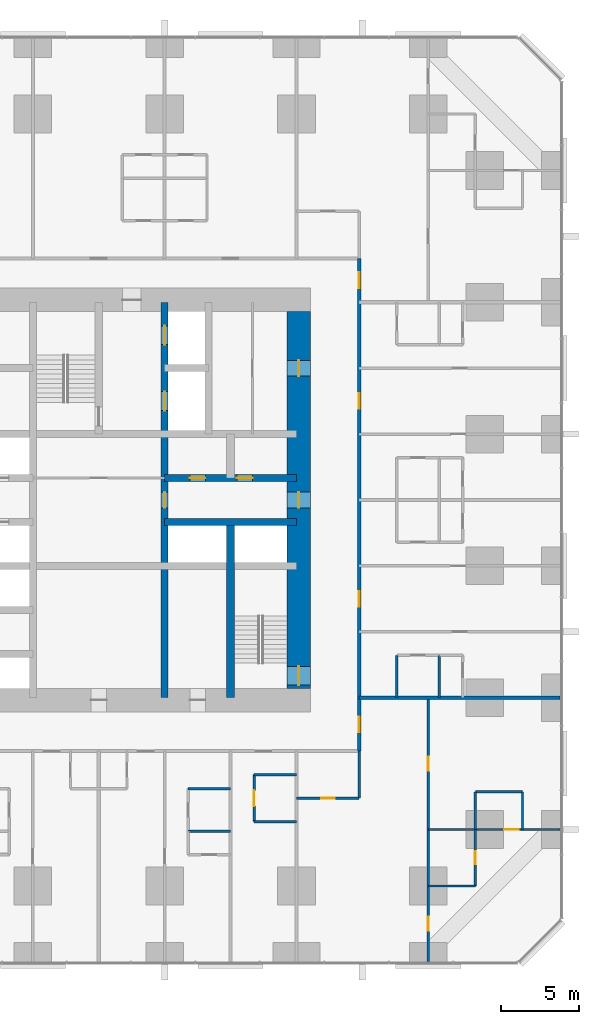
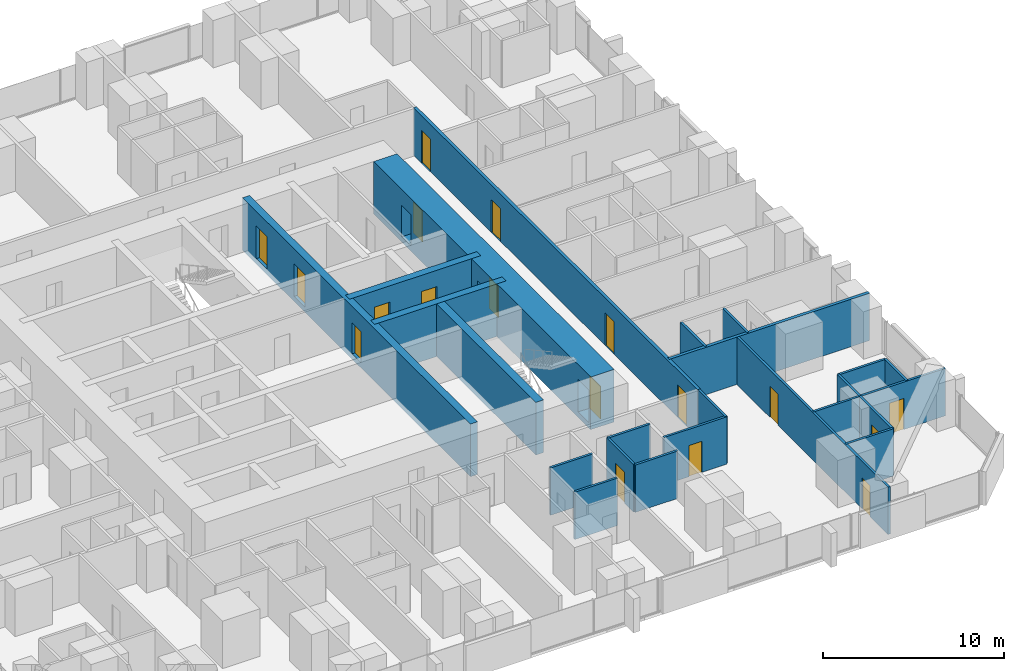
# One storey, part 12 of 16: 23 walls, 18 doors, 18 openings.
"""IFC4 building model written with IfcOpenShell, lengths in metres."""

from ifc_helpers import new_model, si_unit, direction, frame, frame_2d, origin, place, context, subcontext, project, spatial, rectangle, extrude, material, layer, layer_set, type_object, element, fill, save


model = new_model("IFC4")

# Units and contexts
model_context = context("Model", 3, precision=1e-05, world=origin(), true_north=direction((0.0, 1.0)))
body_context = subcontext(model_context, "Body", "Model", "MODEL_VIEW")
ifc_project = project(units=[si_unit("LENGTHUNIT", "METRE"), si_unit("AREAUNIT", "SQUARE_METRE"), si_unit("VOLUMEUNIT", "CUBIC_METRE"), si_unit("PLANEANGLEUNIT", "RADIAN"), si_unit("MASSUNIT", "GRAM", prefix="KILO")], contexts=[model_context])

# Site, building, storey
site_placement = place(None, origin())
site = spatial("IfcSite", under=ifc_project, at=site_placement, CompositionType="ELEMENT")
building_placement = place(site_placement, origin())
building = spatial("IfcBuilding", under=site, at=building_placement, Name="Dunama Terrace Hotel", CompositionType="ELEMENT")
storey_placement = place(building_placement, frame((0.0, 0.0, 84.60009765625)))
storey = spatial("IfcBuildingStorey", under=building, at=storey_placement, Name="L21", CompositionType="ELEMENT", Elevation=84.60009765625)

# Wall, opening, door
ifc_material_1 = material(Name="Gypsum board partition", Category="masonry")
ifc_layer_1 = layer(ifc_material_1, 0.14990234375)
ifc_layer_set_1 = layer_set([ifc_layer_1], Name="Bathroom partition 150")
wall_type_1 = type_object("IfcWallType", Name="Bathroom partition 150", PredefinedType="PARTITIONING", material=ifc_layer_set_1)
wall_1_placement = place(storey_placement, frame((39.300048828125, 8.89990234375, 0.0), z_axis=(0.0, 0.0, 1.0), x_axis=(0.0, 1.0, 0.0)))
wall_1 = element("IfcWall", 1, at=wall_1_placement, inside=storey, type_object=wall_type_1, Name="Bathroom partition 150 L21", PredefinedType="PARTITIONING", context=body_context, shape_type="SweptSolid", body=[
    extrude(rectangle(XDim=3.0, YDim=0.14990234375, at=frame_2d((1.5, 0.0))), origin(), (0.0, 0.0, 1.0), 3.199951171875),
])
opening_1_placement = place(wall_1_placement, frame((1.0, 0.0, 0.0)))
opening_1 = element("IfcOpeningElement", 2, at=opening_1_placement, cuts=wall_1, Name="Opening L21-022", PredefinedType="OPENING", context=body_context, shape_type="SweptSolid", body=[
    extrude(rectangle(XDim=1.0, YDim=2.10009765625, at=frame_2d((0.5, 1.050048828125))), frame((0.0, 0.0849609375, 0.0), z_axis=(0.0, -1.0, 0.0), x_axis=(1.0, 0.0, 0.0)), (0.0, 0.0, 1.0), 0.169921875),
])
ifc_material_2 = material(Name="Timber door with steel frame", Category="steel")
door_type_1 = type_object("IfcDoorType", Name="Accessible room door 1000", OperationType="SINGLE_SWING_LEFT", PredefinedType="DOOR", material=ifc_material_2)
door_1_placement = place(opening_1_placement, frame((1.0, 0.0, 0.0), z_axis=(0.0, 0.0, 1.0), x_axis=(-1.0, 0.0, 0.0)))
door_1 = element("IfcDoor", 3, at=door_1_placement, inside=storey, type_object=door_type_1, Name="Door to accessible en-suite bathroom L21-022, type D17", OperationType="SINGLE_SWING_RIGHT", OverallHeight=2.10009765625, OverallWidth=1.0, PredefinedType="DOOR", context=body_context, shape_type="SweptSolid", body=[
    extrude(rectangle(XDim=1.0, YDim=2.10009765625, at=frame_2d((0.5, 1.050048828125))), frame((0.0, 0.025146484375, 0.0), z_axis=(0.0, -1.0, 0.0), x_axis=(1.0, 0.0, 0.0)), (0.0, 0.0, 1.0), 0.050048828125),
])
fill(opening_1, door_1)

# Walls
wall_2_placement = place(storey_placement, frame((46.0, 10.39990234375, 0.0), z_axis=(0.0, 0.0, 1.0), x_axis=(0.0, 1.0, 0.0)))
element("IfcWall", 4, at=wall_2_placement, inside=storey, type_object=wall_type_1, Name="Bathroom partition 150 L21", PredefinedType="PARTITIONING", context=body_context, shape_type="SweptSolid", body=[
    extrude(rectangle(XDim=3.0, YDim=0.14990234375, at=frame_2d((1.5, 0.0))), origin(), (0.0, 0.0, 1.0), 3.199951171875),
])
wall_3_placement = place(storey_placement, frame((48.39990234375, 16.800048828125, 0.0), z_axis=(0.0, 0.0, 1.0), x_axis=(0.0, 1.0, 0.0)))
element("IfcWall", 5, at=wall_3_placement, inside=storey, type_object=wall_type_1, Name="Bathroom partition 150 L21", PredefinedType="PARTITIONING", context=body_context, shape_type="SweptSolid", body=[
    extrude(rectangle(XDim=2.699951171875, YDim=0.14990234375, at=frame_2d((1.35009765625, 0.0))), origin(), (0.0, 0.0, 1.0), 3.199951171875),
])

# Wall, opening, door
wall_4_placement = place(storey_placement, frame((53.39990234375, 4.800048828125, 0.0), z_axis=(0.0, 0.0, 1.0), x_axis=(0.0, 1.0, 0.0)))
wall_4 = element("IfcWall", 6, at=wall_4_placement, inside=storey, type_object=wall_type_1, Name="Bathroom partition 150 L21", PredefinedType="PARTITIONING", context=body_context, shape_type="SweptSolid", body=[
    extrude(rectangle(XDim=3.599853515625, YDim=0.14990234375, at=frame_2d((1.7998046875, 0.0))), origin(), (0.0, 0.0, 1.0), 3.199951171875),
])
opening_2_placement = place(wall_4_placement, frame((1.375, 0.0, 0.0)))
opening_2 = element("IfcOpeningElement", 7, at=opening_2_placement, cuts=wall_4, Name="Opening L21-069", PredefinedType="OPENING", context=body_context, shape_type="SweptSolid", body=[
    extrude(rectangle(XDim=0.85009765625, YDim=2.10009765625, at=frame_2d((0.425048828125, 1.050048828125))), frame((0.0, 0.0849609375, 0.0), z_axis=(0.0, -1.0, 0.0), x_axis=(1.0, 0.0, 0.0)), (0.0, 0.0, 1.0), 0.169921875),
])
ifc_material_3 = material(Name="Timber door with steel frame", Category="steel")
door_type_2 = type_object("IfcDoorType", Name="Bathroom door 850", OperationType="SINGLE_SWING_LEFT", PredefinedType="DOOR", material=ifc_material_3)
door_2_placement = place(opening_2_placement, origin())
door_2 = element("IfcDoor", 8, at=door_2_placement, inside=storey, type_object=door_type_2, Name="Door to en-suite bathroom L21-069, type D2", OperationType="SINGLE_SWING_RIGHT", OverallHeight=2.10009765625, OverallWidth=0.85009765625, PredefinedType="DOOR", context=body_context, shape_type="SweptSolid", body=[
    extrude(rectangle(XDim=0.85009765625, YDim=2.10009765625, at=frame_2d((0.425048828125, 1.050048828125))), frame((0.0, 0.02490234375, 0.0), z_axis=(0.0, -1.0, 0.0), x_axis=(1.0, 0.0, 0.0)), (0.0, 0.0, 1.0), 0.050048828125),
])
fill(opening_2, door_2)

# Walls
wall_5_placement = place(storey_placement, frame((50.39990234375, 4.800048828125, 0.0), z_axis=(0.0, 0.0, 1.0), x_axis=(1.0, 0.0, 0.0)))
element("IfcWall", 9, at=wall_5_placement, inside=storey, type_object=wall_type_1, Name="Bathroom partition 150 L21", PredefinedType="PARTITIONING", context=body_context, shape_type="SweptSolid", body=[
    extrude(rectangle(XDim=3.0, YDim=0.14990234375, at=frame_2d((1.5, 0.0))), origin(), (0.0, 0.0, 1.0), 3.199951171875),
])
wall_6_placement = place(storey_placement, frame((39.300048828125, 8.89990234375, 0.0), z_axis=(0.0, 0.0, 1.0), x_axis=(1.0, 0.0, 0.0)))
element("IfcWall", 10, at=wall_6_placement, inside=storey, type_object=wall_type_1, Name="Bathroom partition 150 L21", PredefinedType="PARTITIONING", context=body_context, shape_type="SweptSolid", body=[
    extrude(rectangle(XDim=2.699951171875, YDim=0.14990234375, at=frame_2d((1.35009765625, 0.0))), origin(), (0.0, 0.0, 1.0), 3.199951171875),
])

# Wall, opening, door
wall_7_placement = place(storey_placement, frame((42.0, 10.39990234375, 0.0), z_axis=(0.0, 0.0, 1.0), x_axis=(1.0, 0.0, 0.0)))
wall_7 = element("IfcWall", 11, at=wall_7_placement, inside=storey, type_object=wall_type_1, Name="Bathroom partition 150 L21", PredefinedType="PARTITIONING", context=body_context, shape_type="SweptSolid", body=[
    extrude(rectangle(XDim=4.0, YDim=0.14990234375, at=frame_2d((2.0, 0.0))), origin(), (0.0, 0.0, 1.0), 3.199951171875),
])
opening_3_placement = place(wall_7_placement, frame((1.574951171875, 0.0, 0.0)))
opening_3 = element("IfcOpeningElement", 12, at=opening_3_placement, cuts=wall_7, Name="Opening L21-067", PredefinedType="OPENING", context=body_context, shape_type="SweptSolid", body=[
    extrude(rectangle(XDim=0.85009765625, YDim=2.10009765625, at=frame_2d((0.425048828125, 1.050048828125))), frame((0.0, 0.0849609375, 0.0), z_axis=(0.0, -1.0, 0.0), x_axis=(1.0, 0.0, 0.0)), (0.0, 0.0, 1.0), 0.169921875),
])
door_3_placement = place(opening_3_placement, origin())
door_3 = element("IfcDoor", 13, at=door_3_placement, inside=storey, type_object=door_type_2, Name="Door to powder room L21-067, type D2", OperationType="SINGLE_SWING_LEFT", OverallHeight=2.10009765625, OverallWidth=0.85009765625, PredefinedType="DOOR", context=body_context, shape_type="SweptSolid", body=[
    extrude(rectangle(XDim=0.85009765625, YDim=2.10009765625, at=frame_2d((0.425048828125, 1.050048828125))), frame((0.0, 0.02490234375, 0.0), z_axis=(0.0, -1.0, 0.0), x_axis=(1.0, 0.0, 0.0)), (0.0, 0.0, 1.0), 0.050048828125),
])
fill(opening_3, door_3)

# Walls
for number, where, z_axis, x_axis, name in (
    (14, (35.10009765625, 11.0, 0.0), (0.0, 0.0, 1.0), (1.0, 0.0, 0.0), "Bathroom partition 150 L21"),
    (15, (39.300048828125, 11.89990234375, 0.0), (0.0, 0.0, 1.0), (1.0, 0.0, 0.0), "Bathroom partition 150 L21"),
):
    element("IfcWall", number, at=place(storey_placement, frame(where, z_axis=z_axis, x_axis=x_axis)), inside=storey, type_object=wall_type_1, Name=name, PredefinedType="PARTITIONING", context=body_context, shape_type="SweptSolid", body=[
        extrude(rectangle(XDim=2.699951171875, YDim=0.14990234375, at=frame_2d((1.35009765625, 0.0))), origin(), (0.0, 0.0, 1.0), 3.199951171875),
    ])

# Wall, openings, doors
ifc_material_4 = material(Name="Concrete C50/60", Category="concrete")
ifc_layer_2 = layer(ifc_material_4, 0.449951171875)
ifc_layer_set_2 = layer_set([ifc_layer_2], Name="Core inner wall 450")
wall_type_2 = type_object("IfcWallType", Name="Core inner wall 450", PredefinedType="SHEAR", material=ifc_layer_set_2)
wall_8_placement = place(storey_placement, frame((33.60009765625, 16.800048828125, -0.35009765625), z_axis=(0.0, 0.0, 1.0), x_axis=(0.0, 1.0, 0.0)))
wall_8 = element("IfcWall", 16, at=wall_8_placement, inside=storey, type_object=wall_type_2, Name="Core inner wall 450 L21", PredefinedType="SHEAR", context=body_context, shape_type="SweptSolid", body=[
    extrude(rectangle(XDim=25.199951171875, YDim=0.449951171875, at=frame_2d((12.60009765625, 0.0))), origin(), (0.0, 0.0, 1.0), 3.550048828125),
])
opening_4_placement = place(wall_8_placement, frame((22.5, 0.0, 0.35009765625)))
opening_4 = element("IfcOpeningElement", 17, at=opening_4_placement, cuts=wall_8, Name="Opening L21-007", PredefinedType="OPENING", context=body_context, shape_type="SweptSolid", body=[
    extrude(rectangle(XDim=1.199951171875, YDim=2.199951171875, at=frame_2d((0.60009765625, 1.10009765625))), frame((0.0, 0.23486328125, 0.0), z_axis=(0.0, -1.0, 0.0), x_axis=(1.0, 0.0, 0.0)), (0.0, 0.0, 1.0), 0.469970703125),
])
opening_5_placement = place(wall_8_placement, frame((18.300048828125, 0.0, 0.35009765625)))
opening_5 = element("IfcOpeningElement", 18, at=opening_5_placement, cuts=wall_8, Name="Opening L21-008", PredefinedType="OPENING", context=body_context, shape_type="SweptSolid", body=[
    extrude(rectangle(XDim=1.199951171875, YDim=2.199951171875, at=frame_2d((0.60009765625, 1.10009765625))), frame((0.0, 0.23486328125, 0.0), z_axis=(0.0, -1.0, 0.0), x_axis=(1.0, 0.0, 0.0)), (0.0, 0.0, 1.0), 0.469970703125),
])
opening_6_placement = place(wall_8_placement, frame((12.10009765625, 0.0, 0.35009765625)))
opening_6 = element("IfcOpeningElement", 19, at=opening_6_placement, cuts=wall_8, Name="Opening L21-088", PredefinedType="OPENING", context=body_context, shape_type="SweptSolid", body=[
    extrude(rectangle(XDim=1.0, YDim=2.10009765625, at=frame_2d((0.5, 1.050048828125))), frame((0.0, 0.23486328125, 0.0), z_axis=(0.0, -1.0, 0.0), x_axis=(1.0, 0.0, 0.0)), (0.0, 0.0, 1.0), 0.469970703125),
])
ifc_material_5 = material(Name="Stainless steel lift door", Category="steel")
door_type_3 = type_object("IfcDoorType", Name="Firefighting lift landing door 1200", OperationType="DOUBLE_DOOR_SLIDING", PredefinedType="DOOR", material=ifc_material_5)
door_4_placement = place(opening_4_placement, origin())
door_4 = element("IfcDoor", 20, at=door_4_placement, inside=storey, type_object=door_type_3, Name="Landing door FL1 L21-007, type LD2", OperationType="DOUBLE_DOOR_SLIDING", OverallHeight=2.199951171875, OverallWidth=1.199951171875, PredefinedType="DOOR", context=body_context, shape_type="SweptSolid", body=[
    extrude(rectangle(XDim=1.199951171875, YDim=2.199951171875, at=frame_2d((0.60009765625, 1.10009765625))), frame((0.0, 0.02490234375, 0.0), z_axis=(0.0, -1.0, 0.0), x_axis=(1.0, 0.0, 0.0)), (0.0, 0.0, 1.0), 0.050048828125),
])
fill(opening_4, door_4)
door_5_placement = place(opening_5_placement, origin())
door_5 = element("IfcDoor", 21, at=door_5_placement, inside=storey, type_object=door_type_3, Name="Landing door FL2 L21-008, type LD2", OperationType="DOUBLE_DOOR_SLIDING", OverallHeight=2.199951171875, OverallWidth=1.199951171875, PredefinedType="DOOR", context=body_context, shape_type="SweptSolid", body=[
    extrude(rectangle(XDim=1.199951171875, YDim=2.199951171875, at=frame_2d((0.60009765625, 1.10009765625))), frame((0.0, 0.02490234375, 0.0), z_axis=(0.0, -1.0, 0.0), x_axis=(1.0, 0.0, 0.0)), (0.0, 0.0, 1.0), 0.050048828125),
])
fill(opening_5, door_5)
ifc_material_6 = material(Name="Timber door with steel frame", Category="steel")
door_type_4 = type_object("IfcDoorType", Name="Service door 1000", OperationType="SINGLE_SWING_LEFT", PredefinedType="DOOR", material=ifc_material_6)
door_6_placement = place(opening_6_placement, origin())
door_6 = element("IfcDoor", 22, at=door_6_placement, inside=storey, type_object=door_type_4, Name="Door to luggage store L21-088, type D7", OperationType="SINGLE_SWING_LEFT", OverallHeight=2.10009765625, OverallWidth=1.0, PredefinedType="DOOR", context=body_context, shape_type="SweptSolid", body=[
    extrude(rectangle(XDim=1.0, YDim=2.10009765625, at=frame_2d((0.5, 1.050048828125))), frame((0.0, 0.02490234375, 0.0), z_axis=(0.0, -1.0, 0.0), x_axis=(1.0, 0.0, 0.0)), (0.0, 0.0, 1.0), 0.050048828125),
])
fill(opening_6, door_6)

# Wall
wall_9_placement = place(storey_placement, frame((33.60009765625, 28.0, -0.35009765625), z_axis=(0.0, 0.0, 1.0), x_axis=(1.0, 0.0, 0.0)))
element("IfcWall", 23, at=wall_9_placement, inside=storey, type_object=wall_type_2, Name="Core inner wall 450 L21", PredefinedType="SHEAR", context=body_context, shape_type="SweptSolid", body=[
    extrude(rectangle(XDim=8.39990234375, YDim=0.449951171875, at=frame_2d((4.199951171875, 0.0))), origin(), (0.0, 0.0, 1.0), 3.550048828125),
])

# Wall, openings, doors
wall_10_placement = place(storey_placement, frame((33.60009765625, 30.800048828125, -0.35009765625), z_axis=(0.0, 0.0, 1.0), x_axis=(1.0, 0.0, 0.0)))
wall_10 = element("IfcWall", 24, at=wall_10_placement, inside=storey, type_object=wall_type_2, Name="Core inner wall 450 L21", PredefinedType="SHEAR", context=body_context, shape_type="SweptSolid", body=[
    extrude(rectangle(XDim=8.39990234375, YDim=0.449951171875, at=frame_2d((4.199951171875, 0.0))), origin(), (0.0, 0.0, 1.0), 3.550048828125),
])
opening_7_placement = place(wall_10_placement, frame((1.60009765625, 0.0, 0.35009765625)))
opening_7 = element("IfcOpeningElement", 25, at=opening_7_placement, cuts=wall_10, Name="Opening L21-090", PredefinedType="OPENING", context=body_context, shape_type="SweptSolid", body=[
    extrude(rectangle(XDim=1.0, YDim=2.10009765625, at=frame_2d((0.5, 1.050048828125))), frame((0.0, 0.23486328125, 0.0), z_axis=(0.0, -1.0, 0.0), x_axis=(1.0, 0.0, 0.0)), (0.0, 0.0, 1.0), 0.469970703125),
])
opening_8_placement = place(wall_10_placement, frame((4.60009765625, 0.0, 0.35009765625)))
opening_8 = element("IfcOpeningElement", 26, at=opening_8_placement, cuts=wall_10, Name="Opening L21-091", PredefinedType="OPENING", context=body_context, shape_type="SweptSolid", body=[
    extrude(rectangle(XDim=1.0, YDim=2.10009765625, at=frame_2d((0.5, 1.050048828125))), frame((0.0, 0.23486328125, 0.0), z_axis=(0.0, -1.0, 0.0), x_axis=(1.0, 0.0, 0.0)), (0.0, 0.0, 1.0), 0.469970703125),
])
door_7_placement = place(opening_7_placement, origin())
door_7 = element("IfcDoor", 27, at=door_7_placement, inside=storey, type_object=door_type_4, Name="Door to service riser L21-090, type D7", OperationType="SINGLE_SWING_RIGHT", OverallHeight=2.10009765625, OverallWidth=1.0, PredefinedType="DOOR", context=body_context, shape_type="SweptSolid", body=[
    extrude(rectangle(XDim=1.0, YDim=2.10009765625, at=frame_2d((0.5, 1.050048828125))), frame((0.0, 0.02490234375, 0.0), z_axis=(0.0, -1.0, 0.0), x_axis=(1.0, 0.0, 0.0)), (0.0, 0.0, 1.0), 0.050048828125),
])
fill(opening_7, door_7)
door_8_placement = place(opening_8_placement, origin())
door_8 = element("IfcDoor", 28, at=door_8_placement, inside=storey, type_object=door_type_4, Name="Door to cleaners store L21-091, type D7", OperationType="SINGLE_SWING_LEFT", OverallHeight=2.10009765625, OverallWidth=1.0, PredefinedType="DOOR", context=body_context, shape_type="SweptSolid", body=[
    extrude(rectangle(XDim=1.0, YDim=2.10009765625, at=frame_2d((0.5, 1.050048828125))), frame((0.0, 0.02490234375, 0.0), z_axis=(0.0, -1.0, 0.0), x_axis=(1.0, 0.0, 0.0)), (0.0, 0.0, 1.0), 0.050048828125),
])
fill(opening_8, door_8)

# Wall
ifc_material_7 = material(Name="Concrete C50/60", Category="concrete")
ifc_layer_3 = layer(ifc_material_7, 0.5)
ifc_layer_set_3 = layer_set([ifc_layer_3], Name="Core inner wall 500")
wall_type_3 = type_object("IfcWallType", Name="Core inner wall 500", PredefinedType="SHEAR", material=ifc_layer_set_3)
wall_11_placement = place(storey_placement, frame((37.800048828125, 16.800048828125, -0.35009765625), z_axis=(0.0, 0.0, 1.0), x_axis=(0.0, 1.0, 0.0)))
element("IfcWall", 29, at=wall_11_placement, inside=storey, type_object=wall_type_3, Name="Core inner wall 500 L21", PredefinedType="SHEAR", context=body_context, shape_type="SweptSolid", body=[
    extrude(rectangle(XDim=11.199951171875, YDim=0.5, at=frame_2d((5.60009765625, 0.0))), origin(), (0.0, 0.0, 1.0), 3.550048828125),
])

# Wall, openings, doors
ifc_material_8 = material(Name="Concrete C60/75", Category="concrete")
ifc_layer_4 = layer(ifc_material_8, 1.5)
ifc_layer_set_4 = layer_set([ifc_layer_4], Name="Core wall 1500")
wall_type_4 = type_object("IfcWallType", Name="Core wall 1500", PredefinedType="SHEAR", material=ifc_layer_set_4)
wall_12_placement = place(storey_placement, frame((42.14990234375, 17.39990234375, -0.35009765625), z_axis=(0.0, 0.0, 1.0), x_axis=(0.0, 1.0, 0.0)))
wall_12 = element("IfcWall", 30, at=wall_12_placement, inside=storey, type_object=wall_type_4, Name="Core wall east L21", PredefinedType="SHEAR", context=body_context, shape_type="SweptSolid", body=[
    extrude(rectangle(XDim=24.0, YDim=1.5, at=frame_2d((12.0, 0.0))), origin(), (0.0, 0.0, 1.0), 3.550048828125),
])
opening_9_placement = place(wall_12_placement, frame((0.199951171875, 0.0, 0.35009765625)))
opening_9 = element("IfcOpeningElement", 31, at=opening_9_placement, cuts=wall_12, Name="Opening L21-002", PredefinedType="OPENING", context=body_context, shape_type="SweptSolid", body=[
    extrude(rectangle(XDim=1.199951171875, YDim=2.199951171875, at=frame_2d((0.60009765625, 1.10009765625))), frame((0.0, 0.760009765625, 0.0), z_axis=(0.0, -1.0, 0.0), x_axis=(1.0, 0.0, 0.0)), (0.0, 0.0, 1.0), 1.52001953125),
])
opening_10_placement = place(wall_12_placement, frame((11.5, 0.0, 0.35009765625)))
opening_10 = element("IfcOpeningElement", 32, at=opening_10_placement, cuts=wall_12, Name="Opening L21-092", PredefinedType="OPENING", context=body_context, shape_type="SweptSolid", body=[
    extrude(rectangle(XDim=1.0, YDim=2.10009765625, at=frame_2d((0.5, 1.050048828125))), frame((0.0, 0.760009765625, 0.0), z_axis=(0.0, -1.0, 0.0), x_axis=(1.0, 0.0, 0.0)), (0.0, 0.0, 1.0), 1.52001953125),
])
opening_11_placement = place(wall_12_placement, frame((19.89990234375, 0.0, 0.35009765625)))
opening_11 = element("IfcOpeningElement", 33, at=opening_11_placement, cuts=wall_12, Name="Opening L21-094", PredefinedType="OPENING", context=body_context, shape_type="SweptSolid", body=[
    extrude(rectangle(XDim=1.0, YDim=2.10009765625, at=frame_2d((0.5, 1.050048828125))), frame((0.0, 0.760009765625, 0.0), z_axis=(0.0, -1.0, 0.0), x_axis=(1.0, 0.0, 0.0)), (0.0, 0.0, 1.0), 1.52001953125),
])
door_9_placement = place(opening_10_placement, origin())
door_9 = element("IfcDoor", 34, at=door_9_placement, inside=storey, type_object=door_type_4, Name="Door to service lobby L21-092, type D7", OperationType="SINGLE_SWING_LEFT", OverallHeight=2.10009765625, OverallWidth=1.0, PredefinedType="DOOR", context=body_context, shape_type="SweptSolid", body=[
    extrude(rectangle(XDim=1.0, YDim=2.10009765625, at=frame_2d((0.5, 1.050048828125))), frame((0.0, 0.02490234375, 0.0), z_axis=(0.0, -1.0, 0.0), x_axis=(1.0, 0.0, 0.0)), (0.0, 0.0, 1.0), 0.050048828125),
])
fill(opening_10, door_9)
door_10_placement = place(opening_11_placement, origin())
door_10 = element("IfcDoor", 35, at=door_10_placement, inside=storey, type_object=door_type_4, Name="Door to guest pantry L21-094, type D7", OperationType="SINGLE_SWING_LEFT", OverallHeight=2.10009765625, OverallWidth=1.0, PredefinedType="DOOR", context=body_context, shape_type="SweptSolid", body=[
    extrude(rectangle(XDim=1.0, YDim=2.10009765625, at=frame_2d((0.5, 1.050048828125))), frame((0.0, 0.02490234375, 0.0), z_axis=(0.0, -1.0, 0.0), x_axis=(1.0, 0.0, 0.0)), (0.0, 0.0, 1.0), 0.050048828125),
])
fill(opening_11, door_10)
ifc_material_9 = material(Name="Timber door with steel frame", Category="steel")
door_type_5 = type_object("IfcDoorType", Name="Stair door 1200", OperationType="SINGLE_SWING_LEFT", PredefinedType="DOOR", material=ifc_material_9)
door_11_placement = place(opening_9_placement, origin())
door_11 = element("IfcDoor", 36, at=door_11_placement, inside=storey, type_object=door_type_5, Name="Stair door ST2 L21-002, type D5", OperationType="SINGLE_SWING_LEFT", OverallHeight=2.199951171875, OverallWidth=1.199951171875, PredefinedType="DOOR", context=body_context, shape_type="SweptSolid", body=[
    extrude(rectangle(XDim=1.199951171875, YDim=2.199951171875, at=frame_2d((0.60009765625, 1.10009765625))), frame((0.0, 0.02490234375, 0.0), z_axis=(0.0, -1.0, 0.0), x_axis=(1.0, 0.0, 0.0)), (0.0, 0.0, 1.0), 0.050048828125),
])
fill(opening_9, door_11)

ifc_material_10 = material(Name="Concrete blockwork", Category="masonry")
ifc_layer_5 = layer(ifc_material_10, 0.199951171875)
ifc_layer_set_5 = layer_set([ifc_layer_5], Name="Corridor partition 200")
wall_type_5 = type_object("IfcWallType", Name="Corridor partition 200", PredefinedType="PARTITIONING", material=ifc_layer_set_5)
wall_13_placement = place(storey_placement, frame((46.0, 44.800048828125, 0.0), z_axis=(0.0, 0.0, 1.0), x_axis=(0.0, -1.0, 0.0)))
wall_13 = element("IfcWall", 37, at=wall_13_placement, inside=storey, type_object=wall_type_5, Name="Corridor partition 200 L21", PredefinedType="PARTITIONING", context=body_context, shape_type="SweptSolid", body=[
    extrude(rectangle(XDim=31.400146484375, YDim=0.199951171875, at=frame_2d((15.7001953125, 0.0))), origin(), (0.0, 0.0, 1.0), 3.199951171875),
])
opening_12_placement = place(wall_13_placement, frame((21.199951171875, 0.0, 0.0)))
opening_12 = element("IfcOpeningElement", 38, at=opening_12_placement, cuts=wall_13, Name="Opening L21-023", PredefinedType="OPENING", context=body_context, shape_type="SweptSolid", body=[
    extrude(rectangle(XDim=1.0, YDim=2.199951171875, at=frame_2d((0.5, 1.10009765625))), frame((0.0, 0.10986328125, 0.0), z_axis=(0.0, -1.0, 0.0), x_axis=(1.0, 0.0, 0.0)), (0.0, 0.0, 1.0), 0.219970703125),
])
opening_13_placement = place(wall_13_placement, frame((8.60009765625, 0.0, 0.0)))
opening_13 = element("IfcOpeningElement", 39, at=opening_13_placement, cuts=wall_13, Name="Opening L21-030", PredefinedType="OPENING", context=body_context, shape_type="SweptSolid", body=[
    extrude(rectangle(XDim=1.0, YDim=2.199951171875, at=frame_2d((0.5, 1.10009765625))), frame((0.0, 0.10986328125, 0.0), z_axis=(0.0, -1.0, 0.0), x_axis=(1.0, 0.0, 0.0)), (0.0, 0.0, 1.0), 0.219970703125),
])
opening_14_placement = place(wall_13_placement, frame((29.199951171875, 0.0, 0.0)))
opening_14 = element("IfcOpeningElement", 40, at=opening_14_placement, cuts=wall_13, Name="Opening L21-066", PredefinedType="OPENING", context=body_context, shape_type="SweptSolid", body=[
    extrude(rectangle(XDim=1.0, YDim=2.199951171875, at=frame_2d((0.5, 1.10009765625))), frame((0.0, 0.10986328125, 0.0), z_axis=(0.0, -1.0, 0.0), x_axis=(1.0, 0.0, 0.0)), (0.0, 0.0, 1.0), 0.219970703125),
])
opening_15_placement = place(wall_13_placement, frame((0.89990234375, 0.0, 0.0)))
opening_15 = element("IfcOpeningElement", 41, at=opening_15_placement, cuts=wall_13, Name="Opening L21-072", PredefinedType="OPENING", context=body_context, shape_type="SweptSolid", body=[
    extrude(rectangle(XDim=1.0, YDim=2.199951171875, at=frame_2d((0.5, 1.10009765625))), frame((0.0, 0.10986328125, 0.0), z_axis=(0.0, -1.0, 0.0), x_axis=(1.0, 0.0, 0.0)), (0.0, 0.0, 1.0), 0.219970703125),
])
ifc_material_11 = material(Name="Timber door with steel frame", Category="steel")
door_type_6 = type_object("IfcDoorType", Name="Guest room door 1000", OperationType="SINGLE_SWING_LEFT", PredefinedType="DOOR", material=ifc_material_11)
door_12_placement = place(opening_12_placement, origin())
door_12 = element("IfcDoor", 42, at=door_12_placement, inside=storey, type_object=door_type_6, Name="Door to family suite living room L21-023, type D1", OperationType="SINGLE_SWING_RIGHT", OverallHeight=2.199951171875, OverallWidth=1.0, PredefinedType="DOOR", context=body_context, shape_type="SweptSolid", body=[
    extrude(rectangle(XDim=1.0, YDim=2.199951171875, at=frame_2d((0.5, 1.10009765625))), frame((0.0, 0.02490234375, 0.0), z_axis=(0.0, -1.0, 0.0), x_axis=(1.0, 0.0, 0.0)), (0.0, 0.0, 1.0), 0.050048828125),
])
fill(opening_12, door_12)
door_13_placement = place(opening_13_placement, origin())
door_13 = element("IfcDoor", 43, at=door_13_placement, inside=storey, type_object=door_type_6, Name="Door to family suite living room L21-030, type D1", OperationType="SINGLE_SWING_RIGHT", OverallHeight=2.199951171875, OverallWidth=1.0, PredefinedType="DOOR", context=body_context, shape_type="SweptSolid", body=[
    extrude(rectangle(XDim=1.0, YDim=2.199951171875, at=frame_2d((0.5, 1.10009765625))), frame((0.0, 0.02490234375, 0.0), z_axis=(0.0, -1.0, 0.0), x_axis=(1.0, 0.0, 0.0)), (0.0, 0.0, 1.0), 0.050048828125),
])
fill(opening_13, door_13)
door_14_placement = place(opening_14_placement, origin())
door_14 = element("IfcDoor", 44, at=door_14_placement, inside=storey, type_object=door_type_6, Name="Door to corner suite living room L21-066, type D1", OperationType="SINGLE_SWING_RIGHT", OverallHeight=2.199951171875, OverallWidth=1.0, PredefinedType="DOOR", context=body_context, shape_type="SweptSolid", body=[
    extrude(rectangle(XDim=1.0, YDim=2.199951171875, at=frame_2d((0.5, 1.10009765625))), frame((0.0, 0.02490234375, 0.0), z_axis=(0.0, -1.0, 0.0), x_axis=(1.0, 0.0, 0.0)), (0.0, 0.0, 1.0), 0.050048828125),
])
fill(opening_14, door_14)
door_15_placement = place(opening_15_placement, origin())
door_15 = element("IfcDoor", 45, at=door_15_placement, inside=storey, type_object=door_type_6, Name="Door to corner suite living room L21-072, type D1", OperationType="SINGLE_SWING_LEFT", OverallHeight=2.199951171875, OverallWidth=1.0, PredefinedType="DOOR", context=body_context, shape_type="SweptSolid", body=[
    extrude(rectangle(XDim=1.0, YDim=2.199951171875, at=frame_2d((0.5, 1.10009765625))), frame((0.0, 0.02490234375, 0.0), z_axis=(0.0, -1.0, 0.0), x_axis=(1.0, 0.0, 0.0)), (0.0, 0.0, 1.0), 0.050048828125),
])
fill(opening_15, door_15)

# Wall
ifc_material_12 = material(Name="Concrete blockwork", Category="masonry")
ifc_layer_6 = layer(ifc_material_12, 0.199951171875)
ifc_layer_set_6 = layer_set([ifc_layer_6], Name="Party wall 200")
wall_type_6 = type_object("IfcWallType", Name="Party wall 200", PredefinedType="PARTITIONING", material=ifc_layer_set_6)
wall_14_placement = place(storey_placement, frame((46.0, 16.800048828125, 0.0), z_axis=(0.0, 0.0, 1.0), x_axis=(1.0, 0.0, 0.0)))
element("IfcWall", 46, at=wall_14_placement, inside=storey, type_object=wall_type_6, Name="Party wall 200 L21", PredefinedType="PARTITIONING", context=body_context, shape_type="SweptSolid", body=[
    extrude(rectangle(XDim=12.80810546875, YDim=0.199951171875, at=frame_2d((6.404052734375, 0.0))), origin(), (0.0, 0.0, 1.0), 3.199951171875),
])

# Wall, openings, doors
ifc_material_13 = material(Name="Gypsum board partition", Category="masonry")
ifc_layer_7 = layer(ifc_material_13, 0.14990234375)
ifc_layer_set_7 = layer_set([ifc_layer_7], Name="Room partition 150")
wall_type_7 = type_object("IfcWallType", Name="Room partition 150", PredefinedType="PARTITIONING", material=ifc_layer_set_7)
wall_15_placement = place(storey_placement, frame((50.39990234375, -0.008056640625, 0.0), z_axis=(0.0, 0.0, 1.0), x_axis=(0.0, 1.0, 0.0)))
wall_15 = element("IfcWall", 47, at=wall_15_placement, inside=storey, type_object=wall_type_7, Name="Room partition 150 L21", PredefinedType="PARTITIONING", context=body_context, shape_type="SweptSolid", body=[
    extrude(rectangle(XDim=16.80810546875, YDim=0.14990234375, at=frame_2d((8.404052734375, 0.0))), origin(), (0.0, 0.0, 1.0), 3.199951171875),
])
opening_16_placement = place(wall_15_placement, frame((1.9580078125, 0.0, 0.0)))
opening_16 = element("IfcOpeningElement", 48, at=opening_16_placement, cuts=wall_15, Name="Opening L21-068", PredefinedType="OPENING", context=body_context, shape_type="SweptSolid", body=[
    extrude(rectangle(XDim=0.89990234375, YDim=2.10009765625, at=frame_2d((0.449951171875, 1.050048828125))), frame((0.0, 0.0849609375, 0.0), z_axis=(0.0, -1.0, 0.0), x_axis=(1.0, 0.0, 0.0)), (0.0, 0.0, 1.0), 0.169921875),
])
opening_17_placement = place(wall_15_placement, frame((12.157958984375, 0.0, 0.0)))
opening_17 = element("IfcOpeningElement", 49, at=opening_17_placement, cuts=wall_15, Name="Opening L21-071", PredefinedType="OPENING", context=body_context, shape_type="SweptSolid", body=[
    extrude(rectangle(XDim=0.89990234375, YDim=2.10009765625, at=frame_2d((0.449951171875, 1.050048828125))), frame((0.0, 0.0849609375, 0.0), z_axis=(0.0, -1.0, 0.0), x_axis=(1.0, 0.0, 0.0)), (0.0, 0.0, 1.0), 0.169921875),
])
ifc_material_14 = material(Name="Timber door with steel frame", Category="steel")
door_type_7 = type_object("IfcDoorType", Name="Suite internal door 900", OperationType="SINGLE_SWING_LEFT", PredefinedType="DOOR", material=ifc_material_14)
door_16_placement = place(opening_16_placement, frame((0.89990234375, 0.0, 0.0), z_axis=(0.0, 0.0, 1.0), x_axis=(-1.0, 0.0, 0.0)))
door_16 = element("IfcDoor", 50, at=door_16_placement, inside=storey, type_object=door_type_7, Name="Door to corner suite bedroom L21-068, type D16", OperationType="SINGLE_SWING_RIGHT", OverallHeight=2.10009765625, OverallWidth=0.89990234375, PredefinedType="DOOR", context=body_context, shape_type="SweptSolid", body=[
    extrude(rectangle(XDim=0.89990234375, YDim=2.10009765625, at=frame_2d((0.449951171875, 1.050048828125))), frame((0.0, 0.025146484375, 0.0), z_axis=(0.0, -1.0, 0.0), x_axis=(1.0, 0.0, 0.0)), (0.0, 0.0, 1.0), 0.050048828125),
])
fill(opening_16, door_16)
door_17_placement = place(opening_17_placement, frame((0.89990234375, 0.0, 0.0), z_axis=(0.0, 0.0, 1.0), x_axis=(-1.0, 0.0, 0.0)))
door_17 = element("IfcDoor", 51, at=door_17_placement, inside=storey, type_object=door_type_7, Name="Door to corner suite study L21-071, type D16", OperationType="SINGLE_SWING_RIGHT", OverallHeight=2.10009765625, OverallWidth=0.89990234375, PredefinedType="DOOR", context=body_context, shape_type="SweptSolid", body=[
    extrude(rectangle(XDim=0.89990234375, YDim=2.10009765625, at=frame_2d((0.449951171875, 1.050048828125))), frame((0.0, 0.025146484375, 0.0), z_axis=(0.0, -1.0, 0.0), x_axis=(1.0, 0.0, 0.0)), (0.0, 0.0, 1.0), 0.050048828125),
])
fill(opening_17, door_17)

# Walls
wall_16_placement = place(storey_placement, frame((51.10009765625, 16.800048828125, 0.0), z_axis=(0.0, 0.0, 1.0), x_axis=(0.0, 1.0, 0.0)))
element("IfcWall", 52, at=wall_16_placement, inside=storey, type_object=wall_type_7, Name="Room partition 150 L21", PredefinedType="PARTITIONING", context=body_context, shape_type="SweptSolid", body=[
    extrude(rectangle(XDim=2.699951171875, YDim=0.14990234375, at=frame_2d((1.35009765625, 0.0))), origin(), (0.0, 0.0, 1.0), 3.199951171875),
])
for number, where, z_axis, x_axis, name in (
    (53, (53.39990234375, 8.39990234375, 0.0), (0.0, 0.0, 1.0), (0.0, 1.0, 0.0), "Room partition 150 L21"),
    (54, (56.39990234375, 8.39990234375, 0.0), (0.0, 0.0, 1.0), (0.0, 1.0, 0.0), "Room partition 150 L21"),
):
    element("IfcWall", number, at=place(storey_placement, frame(where, z_axis=z_axis, x_axis=x_axis)), inside=storey, type_object=wall_type_7, Name=name, PredefinedType="PARTITIONING", context=body_context, shape_type="SweptSolid", body=[
        extrude(rectangle(XDim=2.400146484375, YDim=0.14990234375, at=frame_2d((1.2001953125, 0.0))), origin(), (0.0, 0.0, 1.0), 3.199951171875),
    ])
wall_17_placement = place(storey_placement, frame((35.10009765625, 8.300048828125, 0.0), z_axis=(0.0, 0.0, 1.0), x_axis=(1.0, 0.0, 0.0)))
element("IfcWall", 55, at=wall_17_placement, inside=storey, type_object=wall_type_7, Name="Room partition 150 L21", PredefinedType="PARTITIONING", context=body_context, shape_type="SweptSolid", body=[
    extrude(rectangle(XDim=2.699951171875, YDim=0.14990234375, at=frame_2d((1.35009765625, 0.0))), origin(), (0.0, 0.0, 1.0), 3.199951171875),
])

# Wall, opening, door
wall_18_placement = place(storey_placement, frame((50.39990234375, 8.39990234375, 0.0), z_axis=(0.0, 0.0, 1.0), x_axis=(1.0, 0.0, 0.0)))
wall_18 = element("IfcWall", 56, at=wall_18_placement, inside=storey, type_object=wall_type_7, Name="Room partition 150 L21", PredefinedType="PARTITIONING", context=body_context, shape_type="SweptSolid", body=[
    extrude(rectangle(XDim=8.408203125, YDim=0.14990234375, at=frame_2d((4.2041015625, 0.0))), origin(), (0.0, 0.0, 1.0), 3.199951171875),
])
opening_18_placement = place(wall_18_placement, frame((4.85009765625, 0.0, 0.0)))
opening_18 = element("IfcOpeningElement", 57, at=opening_18_placement, cuts=wall_18, Name="Opening L21-070", PredefinedType="OPENING", context=body_context, shape_type="SweptSolid", body=[
    extrude(rectangle(XDim=0.89990234375, YDim=2.10009765625, at=frame_2d((0.449951171875, 1.050048828125))), frame((0.0, 0.0849609375, 0.0), z_axis=(0.0, -1.0, 0.0), x_axis=(1.0, 0.0, 0.0)), (0.0, 0.0, 1.0), 0.169921875),
])
door_18_placement = place(opening_18_placement, origin())
door_18 = element("IfcDoor", 58, at=door_18_placement, inside=storey, type_object=door_type_7, Name="Door to dressing room L21-070, type D16", OperationType="SINGLE_SWING_LEFT", OverallHeight=2.10009765625, OverallWidth=0.89990234375, PredefinedType="DOOR", context=body_context, shape_type="SweptSolid", body=[
    extrude(rectangle(XDim=0.89990234375, YDim=2.10009765625, at=frame_2d((0.449951171875, 1.050048828125))), frame((0.0, 0.02490234375, 0.0), z_axis=(0.0, -1.0, 0.0), x_axis=(1.0, 0.0, 0.0)), (0.0, 0.0, 1.0), 0.050048828125),
])
fill(opening_18, door_18)

# Wall
wall_19_placement = place(storey_placement, frame((53.39990234375, 10.800048828125, 0.0), z_axis=(0.0, 0.0, 1.0), x_axis=(1.0, 0.0, 0.0)))
element("IfcWall", 59, at=wall_19_placement, inside=storey, type_object=wall_type_7, Name="Room partition 150 L21", PredefinedType="PARTITIONING", context=body_context, shape_type="SweptSolid", body=[
    extrude(rectangle(XDim=3.0, YDim=0.14990234375, at=frame_2d((1.5, 0.0))), origin(), (0.0, 0.0, 1.0), 3.199951171875),
])

save(model, "model.ifc")
